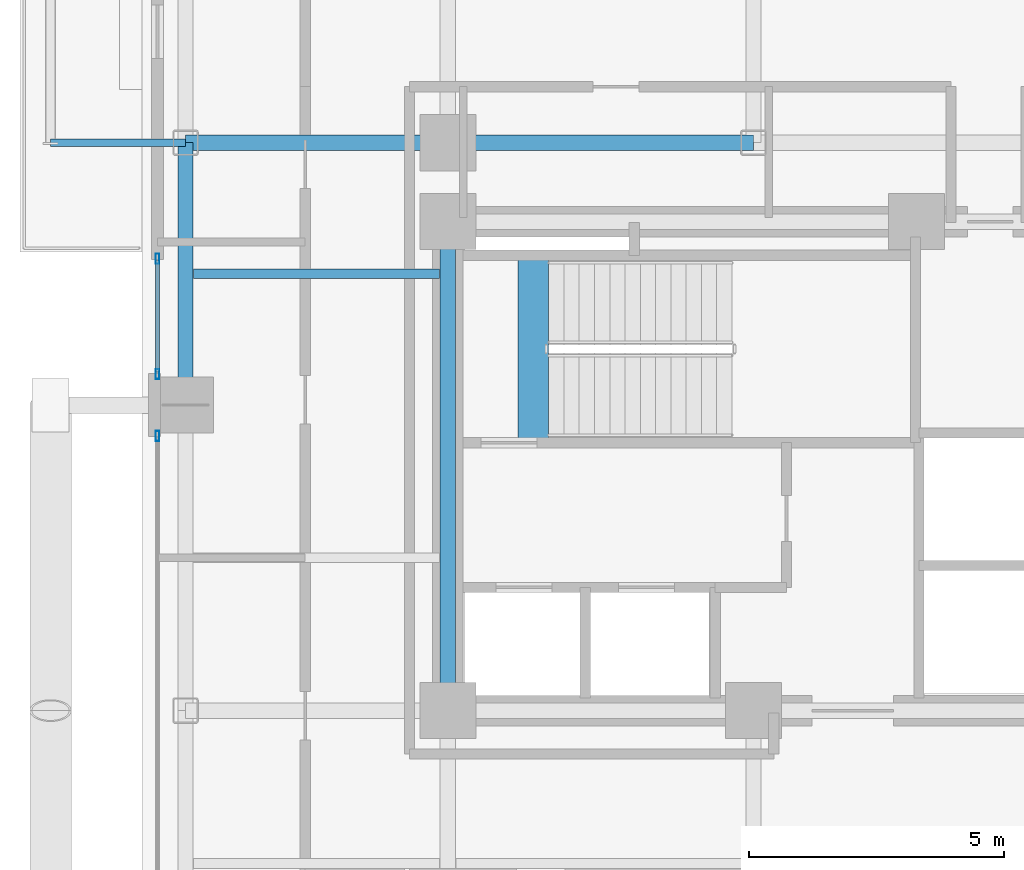
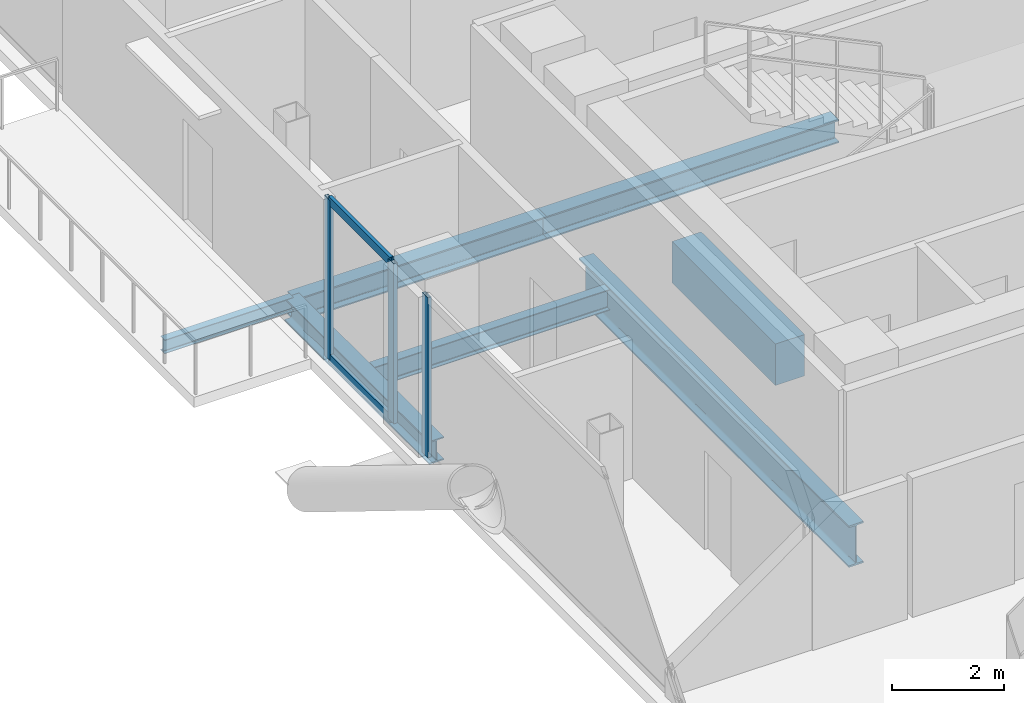
# One storey, part 7 of 28: 7 beams, 5 members, 2 elements without a shape of their own.
"""IFC4 building model written with IfcOpenShell, lengths in metres."""

from ifc_helpers import new_model, si_unit, direction, frame, origin, origin_2d, place, context, subcontext, project, spatial, rectangle, hollow_rectangle, i_section, extrude, material, layer, layer_set, material_profile, profile_set, type_object, element, aggregate, save


model = new_model("IFC4")

# Units and contexts
model_context = context("Model", 3, precision=1e-05, world=origin(), true_north=direction((0.0, 1.0)))
body_context = subcontext(model_context, "Body", "Model", "MODEL_VIEW")
ifc_project = project(units=[si_unit("LENGTHUNIT", "METRE"), si_unit("AREAUNIT", "SQUARE_METRE"), si_unit("VOLUMEUNIT", "CUBIC_METRE"), si_unit("PLANEANGLEUNIT", "RADIAN"), si_unit("MASSUNIT", "GRAM", prefix="KILO"), si_unit("THERMODYNAMICTEMPERATUREUNIT", "KELVIN"), si_unit("POWERUNIT", "WATT")], contexts=[model_context])

# Site, building, storey
site_placement = place(None, origin())
site = spatial("IfcSite", under=ifc_project, at=site_placement, CompositionType="ELEMENT")
building_placement = place(site_placement, origin())
building = spatial("IfcBuilding", under=site, at=building_placement, Name="Svarakhadi Broadcast Tower", CompositionType="ELEMENT")
storey_placement = place(building_placement, frame((0.0, 0.0, 107.10009765625)))
storey = spatial("IfcBuildingStorey", under=building, at=storey_placement, Name="L25", CompositionType="ELEMENT", Elevation=107.10009765625)

# Beam
ifc_material_1 = material(Name="Steel S355J2 (IS 2062 E350C)", Category="steel")
ifc_material_profile_1 = material_profile(ifc_material_1, i_section(OverallWidth=0.18994140625, OverallDepth=0.449951171875, WebThickness=0.009521484375, FlangeThickness=0.0146484375, FilletRadius=0.02099609375, at=origin_2d()), Name="NPB 450x190x78")
ifc_profile_set_1 = profile_set([ifc_material_profile_1], Name="Steel S355J2 (IS 2062 E350C)")
beam_type_1 = type_object("IfcBeamType", Name="Beam_NPB450", PredefinedType="BEAM", material=ifc_profile_set_1)
beam_1_placement = place(storey_placement, frame((1.010009765625, 26.574951171875, -0.4501953125), z_axis=(1.0, 0.0, 0.0), x_axis=(0.0, 1.0, 0.0)))
element("IfcBeam", 1, at=beam_1_placement, inside=storey, type_object=beam_type_1, Name="L25 Secondary Composite Beam SB004", PredefinedType="BEAM", context=body_context, shape_type="SweptSolid", body=[
    extrude(i_section(OverallWidth=0.18994140625, OverallDepth=0.449951171875, WebThickness=0.009521484375, FlangeThickness=0.0146484375, FilletRadius=0.02099609375, at=origin_2d()), origin(), (0.0, 0.0, 1.0), 4.830078125),
])

# Curtain wall, member
ifc_material_2 = material(Name="Anodised Bronze Aluminium AA 6063-T6", Category="aluminium")
ifc_layer = layer(ifc_material_2, 0.199951171875)
ifc_layer_set = layer_set([ifc_layer], Name="Anodised Bronze Aluminium AA 6063-T6")
curtain_wall_type = type_object("IfcCurtainWallType", Name="CW_Sys_03", PredefinedType="NOTDEFINED", material=ifc_layer_set)
curtain_wall_1_placement = place(storey_placement, origin())
curtain_wall_1 = element("IfcCurtainWall", 2, at=curtain_wall_1_placement, inside=storey, type_object=curtain_wall_type, Name="L25 West Curtain Wall 02 Bay 2", PredefinedType="NOTDEFINED")
ifc_material_profile_2 = material_profile(ifc_material_2, hollow_rectangle(XDim=0.074951171875, YDim=0.199951171875, WallThickness=0.005615234375, at=origin_2d()), Name="ALU MULLION 200x75x6")
ifc_profile_set_2 = profile_set([ifc_material_profile_2], Name="Anodised Bronze Aluminium AA 6063-T6")
member_type_1 = type_object("IfcMemberType", Name="CW_Sys_03_Mul", PredefinedType="MULLION", material=ifc_profile_set_2)
member_1_placement = place(storey_placement, frame((0.300048828125, 23.392578125, 0.0), z_axis=(0.0, 0.0, 1.0), x_axis=(-1.0, 0.0, 0.0)))
member_1 = element("IfcMember", 3, at=member_1_placement, type_object=member_type_1, Name="CW-03 mullion 2", PredefinedType="MULLION", context=body_context, shape_type="SweptSolid", body=[
    extrude(hollow_rectangle(XDim=0.074951171875, YDim=0.199951171875, WallThickness=0.005615234375, at=origin_2d()), origin(), (0.0, 0.0, 1.0), 3.474853515625),
])
aggregate(curtain_wall_1, [member_1])

# Curtain wall, members
curtain_wall_2_placement = place(storey_placement, origin())
curtain_wall_2 = element("IfcCurtainWall", 4, at=curtain_wall_2_placement, inside=storey, type_object=curtain_wall_type, Name="L25 West Curtain Wall 02 Bay 3", PredefinedType="NOTDEFINED")
member_2_placement = place(storey_placement, frame((0.300048828125, 24.607421875, 0.0), z_axis=(0.0, 0.0, 1.0), x_axis=(-1.0, 0.0, 0.0)))
member_2 = element("IfcMember", 5, at=member_2_placement, type_object=member_type_1, Name="CW-03 mullion 1", PredefinedType="MULLION", context=body_context, shape_type="SweptSolid", body=[
    extrude(hollow_rectangle(XDim=0.074951171875, YDim=0.199951171875, WallThickness=0.005615234375, at=origin_2d()), origin(), (0.0, 0.0, 1.0), 3.474853515625),
])
member_3_placement = place(storey_placement, frame((0.300048828125, 26.87255859375, 0.0), z_axis=(0.0, 0.0, 1.0), x_axis=(-1.0, 0.0, 0.0)))
member_3 = element("IfcMember", 6, at=member_3_placement, type_object=member_type_1, Name="CW-03 mullion 2", PredefinedType="MULLION", context=body_context, shape_type="SweptSolid", body=[
    extrude(hollow_rectangle(XDim=0.074951171875, YDim=0.199951171875, WallThickness=0.005615234375, at=origin_2d()), origin(), (0.0, 0.0, 1.0), 3.474853515625),
])
ifc_material_profile_3 = material_profile(ifc_material_2, hollow_rectangle(XDim=0.070068359375, YDim=0.18505859375, WallThickness=0.0048828125, at=origin_2d()), Name="ALU TRANSOM 185x70x5")
ifc_profile_set_3 = profile_set([ifc_material_profile_3], Name="Anodised Bronze Aluminium AA 6063-T6")
member_type_2 = type_object("IfcMemberType", Name="CW_Sys_03_Trn", PredefinedType="USERDEFINED", material=ifc_profile_set_3)
member_4_placement = place(storey_placement, frame((0.300048828125, 24.64501953125, 0.034912109375), z_axis=(0.0, 1.0, 0.0), x_axis=(-1.0, 0.0, 0.0)))
member_4 = element("IfcMember", 7, at=member_4_placement, type_object=member_type_2, Name="CW-03 transom 1.1", ObjectType="TRANSOM", PredefinedType="USERDEFINED", context=body_context, shape_type="SweptSolid", body=[
    extrude(hollow_rectangle(XDim=0.070068359375, YDim=0.18505859375, WallThickness=0.0048828125, at=origin_2d()), origin(), (0.0, 0.0, 1.0), 2.18994140625),
])
member_5_placement = place(storey_placement, frame((0.300048828125, 24.64501953125, 3.43994140625), z_axis=(0.0, 1.0, 0.0), x_axis=(-1.0, 0.0, 0.0)))
member_5 = element("IfcMember", 8, at=member_5_placement, type_object=member_type_2, Name="CW-03 transom 1.2", ObjectType="TRANSOM", PredefinedType="USERDEFINED", context=body_context, shape_type="SweptSolid", body=[
    extrude(hollow_rectangle(XDim=0.070068359375, YDim=0.18505859375, WallThickness=0.0048828125, at=origin_2d()), origin(), (0.0, 0.0, 1.0), 2.18994140625),
])
aggregate(curtain_wall_2, [member_2, member_3, member_4, member_5])

# Beams
ifc_material_3 = material(Name="Concrete C50/60 (IS 456 M60)", Category="concrete")
ifc_material_profile_4 = material_profile(ifc_material_3, rectangle(XDim=0.60009765625, YDim=0.89990234375, at=origin_2d()), Name="RC 600x900")
ifc_profile_set_4 = profile_set([ifc_material_profile_4], Name="Concrete C50/60 (IS 456 M60)")
beam_type_2 = type_object("IfcBeamType", Name="Coupling_RC600", PredefinedType="USERDEFINED", material=ifc_profile_set_4)
beam_2_placement = place(storey_placement, frame((7.679931640625, 23.260009765625, -0.4501953125), z_axis=(0.0, 1.0, 0.0), x_axis=(-1.0, 0.0, 0.0)))
element("IfcBeam", 9, at=beam_2_placement, inside=storey, type_object=beam_type_2, Name="L25 Stair ST-01 Landing Throat Trimmer Beam CB-01", ObjectType="GIRDER", PredefinedType="USERDEFINED", context=body_context, shape_type="SweptSolid", body=[
    extrude(rectangle(XDim=0.60009765625, YDim=0.89990234375, at=origin_2d()), origin(), (0.0, 0.0, 1.0), 3.679931640625),
])
ifc_material_profile_5 = material_profile(ifc_material_1, i_section(OverallWidth=0.300048828125, OverallDepth=0.5, WebThickness=0.014404296875, FlangeThickness=0.028076171875, FilletRadius=0.027099609375, at=origin_2d()), Name="WPB 500x300x187")
ifc_profile_set_5 = profile_set([ifc_material_profile_5], Name="Steel S355J2 (IS 2062 E350C)")
beam_type_3 = type_object("IfcBeamType", Name="Girder_WPB500", PredefinedType="USERDEFINED", material=ifc_profile_set_5)
beam_3_placement = place(storey_placement, frame((0.85009765625, 29.14990234375, -0.47509765625), z_axis=(1.0, 0.0, 0.0), x_axis=(0.0, 1.0, 0.0)))
element("IfcBeam", 10, at=beam_3_placement, inside=storey, type_object=beam_type_3, Name="L25 Primary E-W Girder G032", ObjectType="GIRDER", PredefinedType="USERDEFINED", context=body_context, shape_type="SweptSolid", body=[
    extrude(i_section(OverallWidth=0.300048828125, OverallDepth=0.5, WebThickness=0.014404296875, FlangeThickness=0.028076171875, FilletRadius=0.027099609375, at=origin_2d()), origin(), (0.0, 0.0, 1.0), 5.14990234375),
])
beam_4_placement = place(storey_placement, frame((6.0, 29.14990234375, -0.47509765625), z_axis=(1.0, 0.0, 0.0), x_axis=(0.0, 1.0, 0.0)))
element("IfcBeam", 11, at=beam_4_placement, inside=storey, type_object=beam_type_3, Name="L25 Primary E-W Girder G033", ObjectType="GIRDER", PredefinedType="USERDEFINED", context=body_context, shape_type="SweptSolid", body=[
    extrude(i_section(OverallWidth=0.300048828125, OverallDepth=0.5, WebThickness=0.014404296875, FlangeThickness=0.028076171875, FilletRadius=0.027099609375, at=origin_2d()), origin(), (0.0, 0.0, 1.0), 6.0),
])
beam_5_placement = place(storey_placement, frame((0.85009765625, 24.0, -0.47509765625), z_axis=(0.0, 1.0, 0.0), x_axis=(-1.0, 0.0, 0.0)))
element("IfcBeam", 12, at=beam_5_placement, inside=storey, type_object=beam_type_3, Name="L25 Primary N-S Girder G043", ObjectType="GIRDER", PredefinedType="USERDEFINED", context=body_context, shape_type="SweptSolid", body=[
    extrude(i_section(OverallWidth=0.300048828125, OverallDepth=0.5, WebThickness=0.014404296875, FlangeThickness=0.028076171875, FilletRadius=0.027099609375, at=origin_2d()), origin(), (0.0, 0.0, 1.0), 5.14990234375),
])
ifc_material_4 = material(Name="Steel S460ML (IS 2062 E450BR)", Category="steel")
ifc_material_profile_6 = material_profile(ifc_material_4, i_section(OverallWidth=0.300048828125, OverallDepth=0.89990234375, WebThickness=0.0185546875, FlangeThickness=0.034912109375, FilletRadius=0.030029296875, at=origin_2d()), Name="WPB 900x300x291")
ifc_profile_set_6 = profile_set([ifc_material_profile_6], Name="Steel S460ML (IS 2062 E450BR)")
beam_type_4 = type_object("IfcBeamType", Name="Girder_WPB900", PredefinedType="USERDEFINED", material=ifc_profile_set_6)
beam_6_placement = place(storey_placement, frame((6.0, 18.0, -0.675048828125), z_axis=(0.0, 1.0, 0.0), x_axis=(-1.0, 0.0, 0.0)))
element("IfcBeam", 13, at=beam_6_placement, inside=storey, type_object=beam_type_4, Name="L25 Primary N-S Girder G048", ObjectType="GIRDER", PredefinedType="USERDEFINED", context=body_context, shape_type="SweptSolid", body=[
    extrude(i_section(OverallWidth=0.300048828125, OverallDepth=0.89990234375, WebThickness=0.0185546875, FlangeThickness=0.034912109375, FilletRadius=0.030029296875, at=origin_2d()), origin(), (0.0, 0.0, 1.0), 9.60009765625),
])
ifc_material_profile_7 = material_profile(ifc_material_1, i_section(OverallWidth=0.14990234375, OverallDepth=0.300048828125, WebThickness=0.007080078125, FlangeThickness=0.0107421875, FilletRadius=0.014892578125, at=origin_2d()), Name="NPB 300x150x37")
ifc_profile_set_7 = profile_set([ifc_material_profile_7], Name="Steel S355J2 (IS 2062 E350C)")
beam_type_5 = type_object("IfcBeamType", Name="Spandrel_NPB300", PredefinedType="SPANDREL", material=ifc_profile_set_7)
beam_7_placement = place(storey_placement, frame((0.85009765625, 29.14990234375, -0.375), z_axis=(-1.0, 0.0, 0.0), x_axis=(0.0, -1.0, 0.0)))
element("IfcBeam", 14, at=beam_7_placement, inside=storey, type_object=beam_type_5, Name="L25 Balcony Cantilever Bracket 2A", PredefinedType="SPANDREL", context=body_context, shape_type="SweptSolid", body=[
    extrude(i_section(OverallWidth=0.14990234375, OverallDepth=0.300048828125, WebThickness=0.007080078125, FlangeThickness=0.0107421875, FilletRadius=0.014892578125, at=origin_2d()), origin(), (0.0, 0.0, 1.0), 2.650146484375),
])

save(model, "model.ifc")
